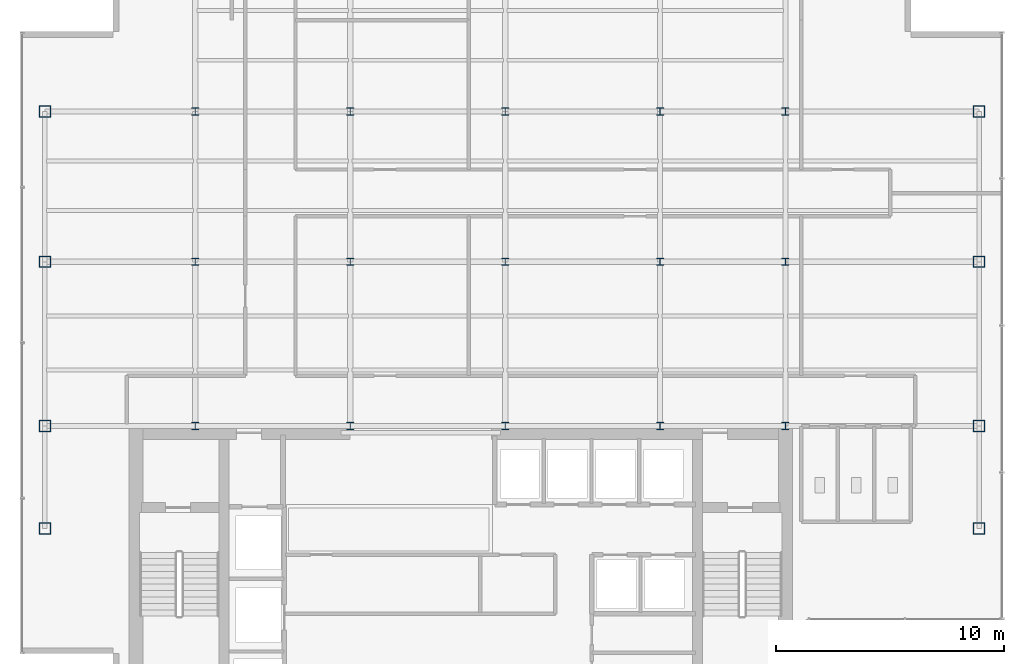
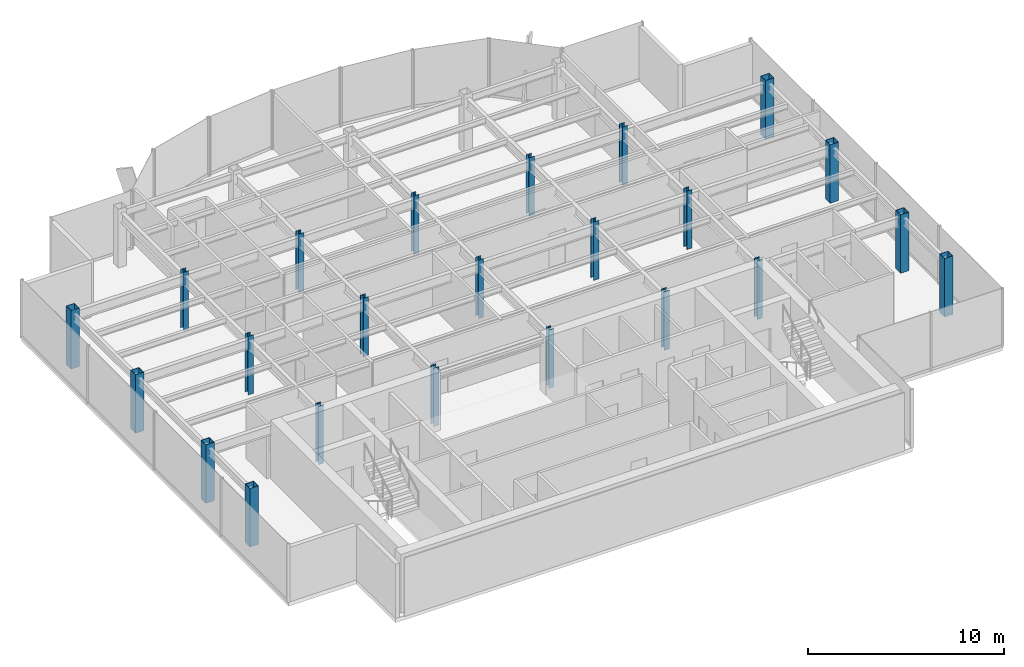
# One storey, part 1 of 22: 23 columns.
"""IFC4 building model written with IfcOpenShell, lengths in metres."""

from ifc_helpers import new_model, si_unit, derived_unit, direction, frame, origin, origin_2d, place, context, subcontext, project, spatial, hollow_rectangle, i_section, extrude, source, transform, mapped, material, material_profile, profile_set, type_object, element, save


model = new_model("IFC4")

# Units and contexts
model_context = context("Model", 3, precision=1e-05, world=origin(), true_north=direction((0.0, 1.0)))
body_context = subcontext(model_context, "Body", "Model", "MODEL_VIEW")
ifc_project = project(units=[si_unit("LENGTHUNIT", "METRE"), si_unit("AREAUNIT", "SQUARE_METRE"), si_unit("VOLUMEUNIT", "CUBIC_METRE"), si_unit("PLANEANGLEUNIT", "RADIAN"), si_unit("MASSUNIT", "GRAM", prefix="KILO"), derived_unit("THERMALTRANSMITTANCEUNIT", [(si_unit("POWERUNIT", "WATT"), 1), (si_unit("LENGTHUNIT", "METRE"), -2), (si_unit("THERMODYNAMICTEMPERATUREUNIT", "KELVIN"), -1)])], contexts=[model_context])

# Site, building, storey
site_placement = place(None, origin())
site = spatial("IfcSite", under=ifc_project, at=site_placement, CompositionType="ELEMENT")
building_placement = place(site_placement, origin())
building = spatial("IfcBuilding", under=site, at=building_placement, Name="Skarnbrae Concourse Arena and Tower", CompositionType="ELEMENT")
storey_placement = place(building_placement, frame((0.0, 0.0, 210.5)))
storey = spatial("IfcBuildingStorey", under=building, at=storey_placement, Name="L54", CompositionType="ELEMENT", Elevation=210.5)

# Columns
ifc_material = material(Name="Steel CSA G40.21 350W", Category="steel")
ifc_material_profile_1 = material_profile(ifc_material, hollow_rectangle(XDim=0.5, YDim=0.5, WallThickness=0.02197265625, at=origin_2d()), Name="HSS500X500X22.0")
ifc_profile_set_1 = profile_set([ifc_material_profile_1], Name="Steel CSA G40.21 350W")
column_type_1 = type_object("IfcColumnType", Name="COL-TUBE-HSS500", PredefinedType="COLUMN", material=ifc_profile_set_1)
shared_shape_1 = source(origin(), body_context, "Body", "SweptSolid", [
    extrude(hollow_rectangle(XDim=0.5, YDim=0.5, WallThickness=0.02197265625, at=origin_2d()), origin(), (0.0, 0.0, 1.0), 3.64990234375),
])
for number, where, z_axis, x_axis, name in (
    (1, (1.0, 9.5, 0.0), (0.0, 0.0, 1.0), (1.0, 0.0, 0.0), "L54 Tower column PC_01_01"),
    (2, (1.0, 14.0, 0.0), (0.0, 0.0, 1.0), (1.0, 0.0, 0.0), "L54 Tower column PC_01_02"),
    (3, (1.0, 21.199951171875, 0.0), (0.0, 0.0, 1.0), (1.0, 0.0, 0.0), "L54 Tower column PC_01_03"),
    (4, (1.0, 27.800048828125, 0.0), (0.0, 0.0, 1.0), (1.0, 0.0, 0.0), "L54 Tower column PC_01_04"),
    (5, (42.0, 9.5, 0.0), (0.0, 0.0, 1.0), (1.0, 0.0, 0.0), "L54 Tower column PC_07_01"),
    (6, (42.0, 14.0, 0.0), (0.0, 0.0, 1.0), (1.0, 0.0, 0.0), "L54 Tower column PC_07_02"),
    (7, (42.0, 21.199951171875, 0.0), (0.0, 0.0, 1.0), (1.0, 0.0, 0.0), "L54 Tower column PC_07_03"),
    (8, (42.0, 27.800048828125, 0.0), (0.0, 0.0, 1.0), (1.0, 0.0, 0.0), "L54 Tower column PC_07_04"),
):
    element("IfcColumn", number, at=place(storey_placement, frame(where, z_axis=z_axis, x_axis=x_axis)), inside=storey, type_object=column_type_1, Name=name, PredefinedType="COLUMN", context=body_context, shape_type="MappedRepresentation", body=[
        mapped(shared_shape_1, transform((0.0, 0.0, 0.0))),
    ])
ifc_material_profile_2 = material_profile(ifc_material, i_section(OverallWidth=0.30908203125, OverallDepth=0.322998046875, WebThickness=0.013916015625, FlangeThickness=0.02294921875, at=origin_2d()), Name="W310X143")
ifc_profile_set_2 = profile_set([ifc_material_profile_2], Name="Steel CSA G40.21 350W")
column_type_2 = type_object("IfcColumnType", Name="COL-INT-W310X143", PredefinedType="COLUMN", material=ifc_profile_set_2)
shared_shape_2 = source(origin(), body_context, "Body", "SweptSolid", [
    extrude(i_section(OverallWidth=0.30908203125, OverallDepth=0.322998046875, WebThickness=0.013916015625, FlangeThickness=0.02294921875, at=origin_2d()), origin(), (0.0, 0.0, 1.0), 3.64990234375),
])
for number, where, z_axis, x_axis, name in (
    (9, (7.60009765625, 14.0, 0.0), (0.0, 0.0, 1.0), (1.0, 0.0, 0.0), "L54 Tower column IC_02_02"),
    (10, (7.60009765625, 21.199951171875, 0.0), (0.0, 0.0, 1.0), (1.0, 0.0, 0.0), "L54 Tower column IC_02_03"),
    (11, (7.60009765625, 27.800048828125, 0.0), (0.0, 0.0, 1.0), (1.0, 0.0, 0.0), "L54 Tower column IC_02_04"),
    (12, (14.39990234375, 14.0, 0.0), (0.0, 0.0, 1.0), (1.0, 0.0, 0.0), "L54 Tower column IC_03_02"),
    (13, (14.39990234375, 21.199951171875, 0.0), (0.0, 0.0, 1.0), (1.0, 0.0, 0.0), "L54 Tower column IC_03_03"),
    (14, (14.39990234375, 27.800048828125, 0.0), (0.0, 0.0, 1.0), (1.0, 0.0, 0.0), "L54 Tower column IC_03_04"),
    (15, (21.199951171875, 14.0, 0.0), (0.0, 0.0, 1.0), (1.0, 0.0, 0.0), "L54 Tower column IC_04_02"),
    (16, (21.199951171875, 21.199951171875, 0.0), (0.0, 0.0, 1.0), (1.0, 0.0, 0.0), "L54 Tower column IC_04_03"),
    (17, (21.199951171875, 27.800048828125, 0.0), (0.0, 0.0, 1.0), (1.0, 0.0, 0.0), "L54 Tower column IC_04_04"),
    (18, (28.0, 14.0, 0.0), (0.0, 0.0, 1.0), (1.0, 0.0, 0.0), "L54 Tower column IC_05_02"),
    (19, (28.0, 21.199951171875, 0.0), (0.0, 0.0, 1.0), (1.0, 0.0, 0.0), "L54 Tower column IC_05_03"),
    (20, (28.0, 27.800048828125, 0.0), (0.0, 0.0, 1.0), (1.0, 0.0, 0.0), "L54 Tower column IC_05_04"),
    (21, (33.5, 14.0, 0.0), (0.0, 0.0, 1.0), (1.0, 0.0, 0.0), "L54 Tower column IC_06_02"),
    (22, (33.5, 21.199951171875, 0.0), (0.0, 0.0, 1.0), (1.0, 0.0, 0.0), "L54 Tower column IC_06_03"),
    (23, (33.5, 27.800048828125, 0.0), (0.0, 0.0, 1.0), (1.0, 0.0, 0.0), "L54 Tower column IC_06_04"),
):
    element("IfcColumn", number, at=place(storey_placement, frame(where, z_axis=z_axis, x_axis=x_axis)), inside=storey, type_object=column_type_2, Name=name, PredefinedType="COLUMN", context=body_context, shape_type="MappedRepresentation", body=[
        mapped(shared_shape_2, transform((0.0, 0.0, 0.0))),
    ])

save(model, "model.ifc")
